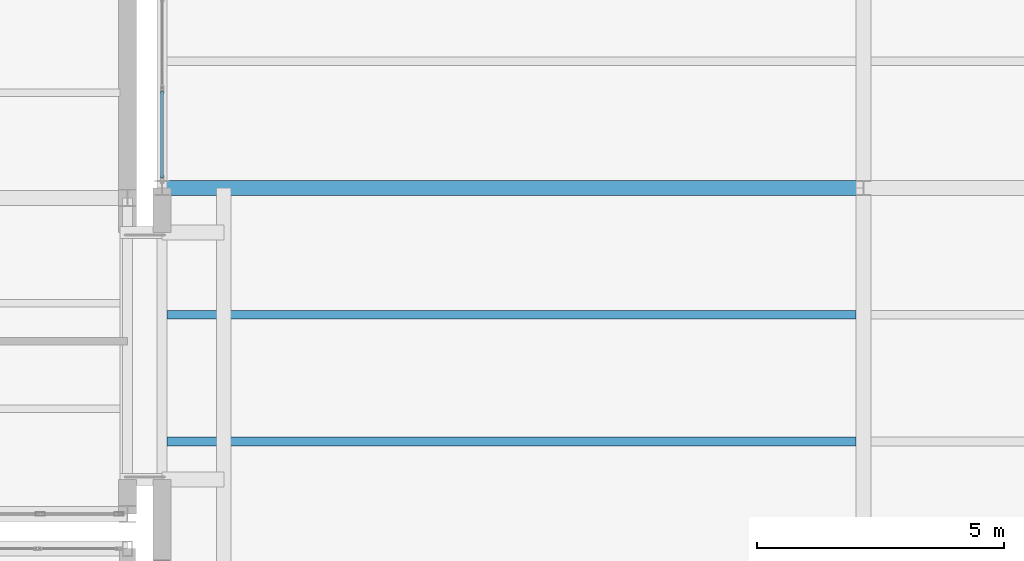
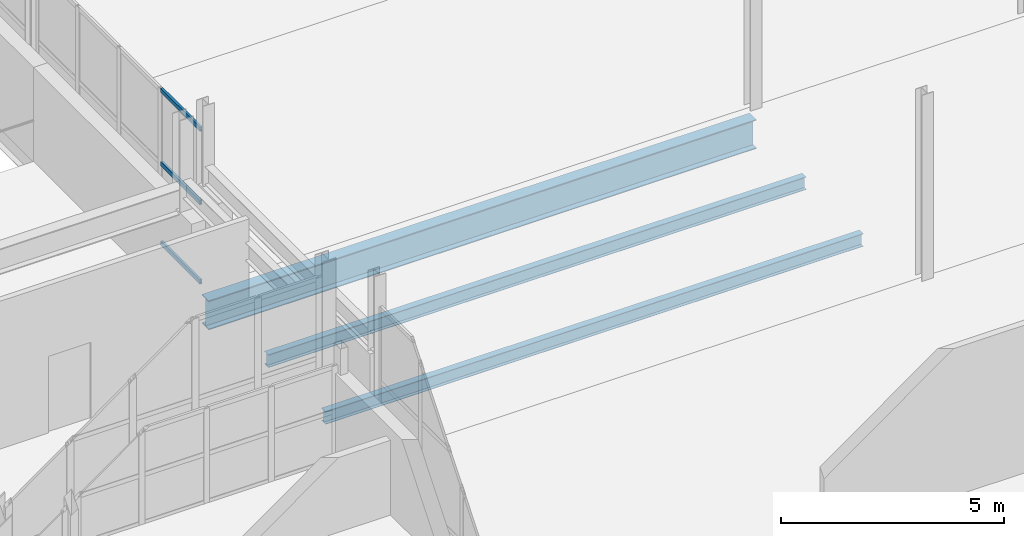
# One storey, part 113 of 218: 3 beams, 3 members, 1 element without a shape of its own.
"""IFC4 building model written with IfcOpenShell, lengths in metres."""

from ifc_helpers import new_model, si_unit, direction, frame, origin, origin_2d, place, context, subcontext, project, spatial, hollow_rectangle, i_section, extrude, material, material_profile, profile_set, type_object, element, aggregate, save


model = new_model("IFC4")

# Units and contexts
model_context = context("Model", 3, precision=1e-05, world=origin(), true_north=direction((0.0, 1.0)))
body_context = subcontext(model_context, "Body", "Model", "MODEL_VIEW")
ifc_project = project(units=[si_unit("LENGTHUNIT", "METRE"), si_unit("AREAUNIT", "SQUARE_METRE"), si_unit("VOLUMEUNIT", "CUBIC_METRE"), si_unit("PLANEANGLEUNIT", "RADIAN"), si_unit("MASSUNIT", "GRAM", prefix="KILO")], contexts=[model_context])

# Site, building, storey
site_placement = place(None, origin())
site = spatial("IfcSite", under=ifc_project, at=site_placement, CompositionType="ELEMENT")
building_placement = place(site_placement, origin())
building = spatial("IfcBuilding", under=site, at=building_placement, Name="Kazenagashi Tramway Depot", CompositionType="ELEMENT")
storey_placement = place(building_placement, frame((0.0, 0.0, 6.0)))
storey = spatial("IfcBuildingStorey", under=building, at=storey_placement, Name="L02", CompositionType="ELEMENT", Elevation=6.0)

# Beams
ifc_material_1 = material(Name="Steel SN490B", Category="steel")
ifc_material_profile_1 = material_profile(ifc_material_1, i_section(OverallWidth=0.3, OverallDepth=0.8, WebThickness=0.014, FlangeThickness=0.026, at=origin_2d()), Name="H-800x300x14x26")
ifc_profile_set_1 = profile_set([ifc_material_profile_1], Name="Steel SN490B")
beam_type_1 = type_object("IfcBeamType", Name="G-07", PredefinedType="BEAM", material=ifc_profile_set_1)
beam_placement = place(storey_placement, frame((146.3, 23.1, -0.68), z_axis=(1.0, 0.0, 0.0), x_axis=(0.0, 1.0, 0.0)))
element("IfcBeam", 1, at=beam_placement, inside=storey, type_object=beam_type_1, Name="Beam G-07 BM-1199", PredefinedType="BEAM", context=body_context, shape_type="SweptSolid", body=[
    extrude(i_section(OverallWidth=0.3, OverallDepth=0.8, WebThickness=0.014, FlangeThickness=0.026, at=origin_2d()), origin(), (0.0, 0.0, 1.0), 14.2),
])
ifc_material_2 = material(Name="Steel SN400B", Category="steel")
ifc_material_profile_2 = material_profile(ifc_material_2, i_section(OverallWidth=0.175, OverallDepth=0.35, WebThickness=0.007, FlangeThickness=0.011, at=origin_2d()), Name="H-350x175x7x11")
ifc_profile_set_2 = profile_set([ifc_material_profile_2], Name="Steel SN400B")
beam_type_2 = type_object("IfcBeamType", Name="J-01", PredefinedType="JOIST", material=ifc_profile_set_2)
for number, where, z_axis, x_axis, name in (
    (2, (146.4, 17.967, -0.455), (1.0, 0.0, 0.0), (0.0, 1.0, 0.0), "Beam J-01 BM-1236"),
    (3, (146.4, 20.533, -0.455), (1.0, 0.0, 0.0), (0.0, 1.0, 0.0), "Beam J-01 BM-1237"),
):
    element("IfcBeam", number, at=place(storey_placement, frame(where, z_axis=z_axis, x_axis=x_axis)), inside=storey, type_object=beam_type_2, Name=name, PredefinedType="JOIST", context=body_context, shape_type="SweptSolid", body=[
        extrude(i_section(OverallWidth=0.175, OverallDepth=0.35, WebThickness=0.007, FlangeThickness=0.011, at=origin_2d()), origin(), (0.0, 0.0, 1.0), 13.95),
    ])

# Curtain wall, members
ifc_material_3 = material(Name="Anodised Aluminium and Low-E Glazing", Category="aluminium")
curtain_wall_type = type_object("IfcCurtainWallType", Name="CW-31", PredefinedType="USERDEFINED", material=ifc_material_3)
curtain_wall_placement = place(storey_placement, origin())
curtain_wall = element("IfcCurtainWall", 4, at=curtain_wall_placement, inside=storey, type_object=curtain_wall_type, Name="Industrial Glazed Screen CW-31 CW-0163", ObjectType="GLAZED SCREEN", PredefinedType="USERDEFINED")
ifc_material_4 = material(Name="Anodised Aluminium", Category="aluminium")
ifc_material_profile_3 = material_profile(ifc_material_4, hollow_rectangle(XDim=0.06, YDim=0.12, WallThickness=0.004, at=origin_2d()), Name="RHS-120x60x4")
ifc_profile_set_3 = profile_set([ifc_material_profile_3], Name="Anodised Aluminium")
member_type = type_object("IfcMemberType", Name="TR-01", PredefinedType="USERDEFINED", material=ifc_profile_set_3)
member_1_placement = place(storey_placement, frame((146.3, 23.3, 0.03), z_axis=(0.0, 1.0, 0.0), x_axis=(-1.0, 0.0, 0.0)))
member_1 = element("IfcMember", 5, at=member_1_placement, type_object=member_type, Name="CW-31 transom 1.1", ObjectType="TRANSOM", PredefinedType="USERDEFINED", context=body_context, shape_type="SweptSolid", body=[
    extrude(hollow_rectangle(XDim=0.06, YDim=0.12, WallThickness=0.004, at=origin_2d()), origin(), (0.0, 0.0, 1.0), 1.765),
])
member_2_placement = place(storey_placement, frame((146.3, 23.3, 2.21), z_axis=(0.0, 1.0, 0.0), x_axis=(-1.0, 0.0, 0.0)))
member_2 = element("IfcMember", 6, at=member_2_placement, type_object=member_type, Name="CW-31 transom 1.2", ObjectType="TRANSOM", PredefinedType="USERDEFINED", context=body_context, shape_type="SweptSolid", body=[
    extrude(hollow_rectangle(XDim=0.06, YDim=0.12, WallThickness=0.004, at=origin_2d()), origin(), (0.0, 0.0, 1.0), 1.765),
])
member_3_placement = place(storey_placement, frame((146.3, 23.3, 4.22), z_axis=(0.0, 1.0, 0.0), x_axis=(-1.0, 0.0, 0.0)))
member_3 = element("IfcMember", 7, at=member_3_placement, type_object=member_type, Name="CW-31 transom 1.3", ObjectType="TRANSOM", PredefinedType="USERDEFINED", context=body_context, shape_type="SweptSolid", body=[
    extrude(hollow_rectangle(XDim=0.06, YDim=0.12, WallThickness=0.004, at=origin_2d()), origin(), (0.0, 0.0, 1.0), 1.765),
])
aggregate(curtain_wall, [member_1, member_2, member_3])

save(model, "model.ifc")
